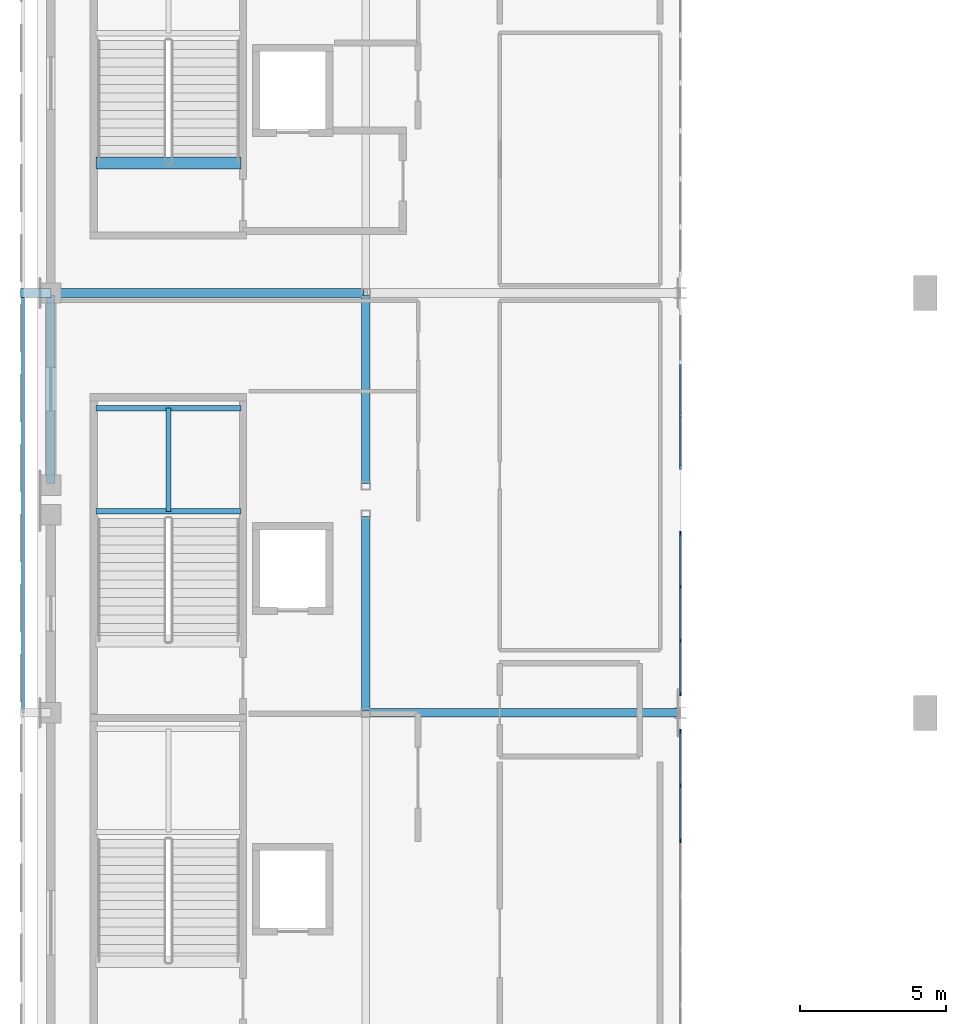
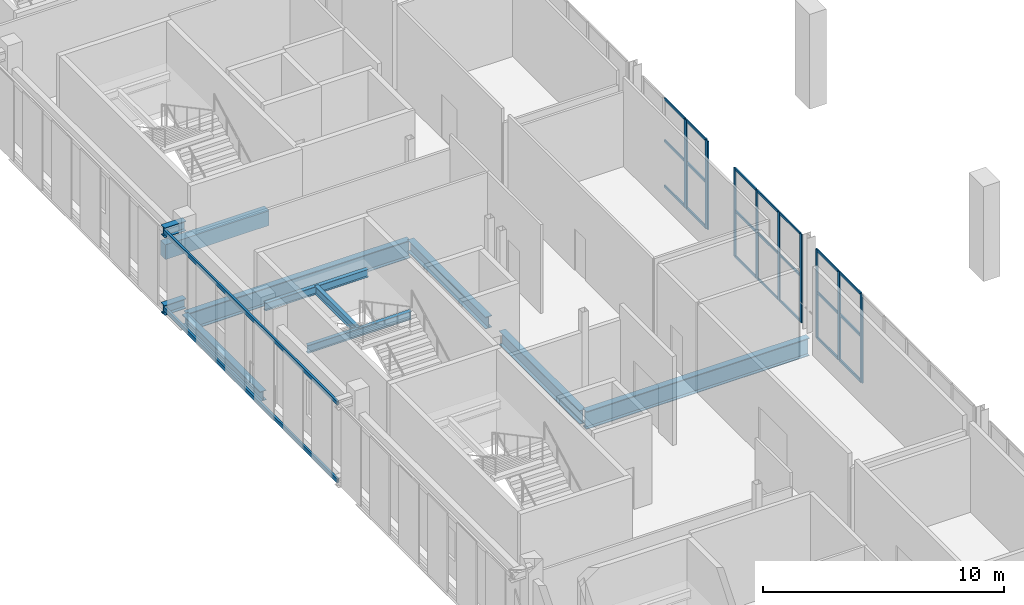
# One storey, part 11 of 51: 32 members, 11 beams, 3 elements without a shape of their own.
"""IFC4 building model written with IfcOpenShell, lengths in metres."""

from ifc_helpers import new_model, si_unit, direction, frame, origin, origin_2d, place, context, subcontext, project, spatial, rectangle, hollow_rectangle, i_section, extrude, material, material_profile, profile_set, type_object, element, aggregate, save


model = new_model("IFC4")

# Units and contexts
model_context = context("Model", 3, precision=1e-05, world=origin(), true_north=direction((0.0, 1.0)))
body_context = subcontext(model_context, "Body", "Model", "MODEL_VIEW")
ifc_project = project(units=[si_unit("LENGTHUNIT", "METRE"), si_unit("AREAUNIT", "SQUARE_METRE"), si_unit("VOLUMEUNIT", "CUBIC_METRE"), si_unit("PLANEANGLEUNIT", "RADIAN"), si_unit("MASSUNIT", "GRAM", prefix="KILO")], contexts=[model_context])

# Site, building, storey
site_placement = place(None, origin())
site = spatial("IfcSite", under=ifc_project, at=site_placement, CompositionType="ELEMENT")
building_placement = place(site_placement, origin())
building = spatial("IfcBuilding", under=site, at=building_placement, Name="Koshinbarg Plaza Stadium", CompositionType="ELEMENT")
storey_placement = place(building_placement, frame((0.0, 0.0, 24.60009765625)))
storey = spatial("IfcBuildingStorey", under=building, at=storey_placement, Name="L05", CompositionType="ELEMENT", Elevation=24.60009765625)

# Beams
ifc_material_1 = material(Name="Steel S355", Category="steel")
ifc_material_profile_1 = material_profile(ifc_material_1, i_section(OverallWidth=0.300048828125, OverallDepth=0.5, WebThickness=0.014404296875, FlangeThickness=0.028076171875, at=origin_2d()), Name="HEB 500")
ifc_profile_set_1 = profile_set([ifc_material_profile_1], Name="Steel S355")
beam_type_1 = type_object("IfcBeamType", Name="BM-CANOPY-CANT", PredefinedType="BEAM", material=ifc_profile_set_1)
for number, where, z_axis, x_axis, name in (
    (1, (24.60009765625, 83.10009765625, 0.25), (-1.0, 0.0, 0.0), (0.0, -1.0, 0.0), "Outer screen cantilever outrigger W-L05-Y05"),
    (2, (24.60009765625, 83.10009765625, 4.179931640625), (-1.0, 0.0, 0.0), (0.0, -1.0, 0.0), "Outer screen cantilever outrigger W-L05-Y05"),
):
    element("IfcBeam", number, at=place(storey_placement, frame(where, z_axis=z_axis, x_axis=x_axis)), inside=storey, type_object=beam_type_1, Name=name, PredefinedType="BEAM", context=body_context, shape_type="SweptSolid", body=[
        extrude(i_section(OverallWidth=0.300048828125, OverallDepth=0.5, WebThickness=0.014404296875, FlangeThickness=0.028076171875, at=origin_2d()), origin(), (0.0, 0.0, 1.0), 1.030029296875),
    ])
ifc_material_2 = material(Name="Concrete C40/50", Category="concrete")
ifc_material_profile_2 = material_profile(ifc_material_2, rectangle(XDim=0.39990234375, YDim=0.75, at=origin_2d()), Name="RC 400x750")
ifc_profile_set_2 = profile_set([ifc_material_profile_2], Name="Concrete C40/50")
beam_type_2 = type_object("IfcBeamType", Name="BM-RCG-03", PredefinedType="USERDEFINED", material=ifc_profile_set_2)
beam_1_placement = place(storey_placement, frame((26.14990234375, 87.56005859375, -0.375), z_axis=(1.0, 0.0, 0.0), x_axis=(0.0, 1.0, 0.0)))
element("IfcBeam", 3, at=beam_1_placement, inside=storey, type_object=beam_type_2, Name="L05 stair landing header beam C05", ObjectType="GIRDER", PredefinedType="USERDEFINED", context=body_context, shape_type="SweptSolid", body=[
    extrude(rectangle(XDim=0.39990234375, YDim=0.75, at=origin_2d()), origin(), (0.0, 0.0, 1.0), 4.97021484375),
])
ifc_material_profile_3 = material_profile(ifc_material_1, i_section(OverallWidth=0.179931640625, OverallDepth=0.39990234375, WebThickness=0.008544921875, FlangeThickness=0.013427734375, at=origin_2d()), Name="IPE 400")
ifc_profile_set_3 = profile_set([ifc_material_profile_3], Name="Steel S355")
beam_type_3 = type_object("IfcBeamType", Name="BM-SBM-01", PredefinedType="BEAM", material=ifc_profile_set_3)
for number, where, z_axis, x_axis, name in (
    (4, (26.14990234375, 75.610107421875, 1.8798828125), (1.0, 0.0, 0.0), (0.0, 1.0, 0.0), "L05 Protected Exit Stair C04 landing trimmer beam 1"),
    (5, (26.14990234375, 79.14990234375, 1.8798828125), (1.0, 0.0, 0.0), (0.0, 1.0, 0.0), "L05 Protected Exit Stair C04 landing trimmer beam 2"),
):
    element("IfcBeam", number, at=place(storey_placement, frame(where, z_axis=z_axis, x_axis=x_axis)), inside=storey, type_object=beam_type_3, Name=name, PredefinedType="BEAM", context=body_context, shape_type="SweptSolid", body=[
        extrude(i_section(OverallWidth=0.179931640625, OverallDepth=0.39990234375, WebThickness=0.008544921875, FlangeThickness=0.013427734375, at=origin_2d()), origin(), (0.0, 0.0, 1.0), 4.97021484375),
    ])
beam_2_placement = place(storey_placement, frame((28.635009765625, 75.610107421875, 1.8798828125), z_axis=(0.0, 1.0, 0.0), x_axis=(-1.0, 0.0, 0.0)))
element("IfcBeam", 6, at=beam_2_placement, inside=storey, type_object=beam_type_3, Name="L05 Protected Exit Stair C04 landing trimmer beam 3", PredefinedType="BEAM", context=body_context, shape_type="SweptSolid", body=[
    extrude(i_section(OverallWidth=0.179931640625, OverallDepth=0.39990234375, WebThickness=0.008544921875, FlangeThickness=0.013427734375, at=origin_2d()), origin(), (0.0, 0.0, 1.0), 3.539794921875),
])
ifc_material_profile_4 = material_profile(ifc_material_1, i_section(OverallWidth=0.300048828125, OverallDepth=0.5, WebThickness=0.014404296875, FlangeThickness=0.028076171875, at=origin_2d()), Name="HEB 500")
ifc_profile_set_4 = profile_set([ifc_material_profile_4], Name="Steel S355")
beam_type_4 = type_object("IfcBeamType", Name="BM-SGIR-01", PredefinedType="USERDEFINED", material=ifc_profile_set_4)
beam_3_placement = place(storey_placement, frame((24.60009765625, 76.56005859375, -0.550048828125), z_axis=(0.0, 1.0, 0.0), x_axis=(-1.0, 0.0, 0.0)))
element("IfcBeam", 7, at=beam_3_placement, inside=storey, type_object=beam_type_4, Name="L05 Y girder 5/L-M", ObjectType="GIRDER", PredefinedType="USERDEFINED", context=body_context, shape_type="SweptSolid", body=[
    extrude(i_section(OverallWidth=0.300048828125, OverallDepth=0.5, WebThickness=0.014404296875, FlangeThickness=0.028076171875, at=origin_2d()), origin(), (0.0, 0.0, 1.0), 6.47998046875),
])
ifc_material_profile_5 = material_profile(ifc_material_1, i_section(OverallWidth=0.300048828125, OverallDepth=0.60009765625, WebThickness=0.015380859375, FlangeThickness=0.030029296875, at=origin_2d()), Name="HEB 600")
ifc_profile_set_5 = profile_set([ifc_material_profile_5], Name="Steel S355")
beam_type_5 = type_object("IfcBeamType", Name="BM-SGIR-02", PredefinedType="USERDEFINED", material=ifc_profile_set_5)
beam_4_placement = place(storey_placement, frame((35.39990234375, 76.56005859375, -0.60009765625), z_axis=(0.0, 1.0, 0.0), x_axis=(-1.0, 0.0, 0.0)))
element("IfcBeam", 8, at=beam_4_placement, inside=storey, type_object=beam_type_5, Name="L05 Y girder 6/L-M", ObjectType="GIRDER", PredefinedType="USERDEFINED", context=body_context, shape_type="SweptSolid", body=[
    extrude(i_section(OverallWidth=0.300048828125, OverallDepth=0.60009765625, WebThickness=0.015380859375, FlangeThickness=0.030029296875, at=origin_2d()), origin(), (0.0, 0.0, 1.0), 6.47998046875),
])
ifc_material_profile_6 = material_profile(ifc_material_1, i_section(OverallWidth=0.300048828125, OverallDepth=0.699951171875, WebThickness=0.01708984375, FlangeThickness=0.031982421875, at=origin_2d()), Name="HEB 700")
ifc_profile_set_6 = profile_set([ifc_material_profile_6], Name="Steel S355")
beam_type_6 = type_object("IfcBeamType", Name="BM-SGIR-03", PredefinedType="USERDEFINED", material=ifc_profile_set_6)
beam_5_placement = place(storey_placement, frame((35.39990234375, 68.760009765625, -0.650146484375), z_axis=(0.0, 1.0, 0.0), x_axis=(-1.0, 0.0, 0.0)))
element("IfcBeam", 9, at=beam_5_placement, inside=storey, type_object=beam_type_6, Name="L05 Y girder 6/J-K", ObjectType="GIRDER", PredefinedType="USERDEFINED", context=body_context, shape_type="SweptSolid", body=[
    extrude(i_section(OverallWidth=0.300048828125, OverallDepth=0.699951171875, WebThickness=0.01708984375, FlangeThickness=0.031982421875, at=origin_2d()), origin(), (0.0, 0.0, 1.0), 6.679931640625),
])
ifc_material_profile_7 = material_profile(ifc_material_1, i_section(OverallWidth=0.300048828125, OverallDepth=0.89990234375, WebThickness=0.0185546875, FlangeThickness=0.034912109375, at=origin_2d()), Name="HEB 900")
ifc_profile_set_7 = profile_set([ifc_material_profile_7], Name="Steel S355")
beam_type_7 = type_object("IfcBeamType", Name="BM-SGIR-05", PredefinedType="USERDEFINED", material=ifc_profile_set_7)
beam_6_placement = place(storey_placement, frame((35.4599609375, 68.699951171875, -0.75), z_axis=(1.0, 0.0, 0.0), x_axis=(0.0, 1.0, 0.0)))
element("IfcBeam", 10, at=beam_6_placement, inside=storey, type_object=beam_type_7, Name="L05 X girder J/6-7", ObjectType="GIRDER", PredefinedType="USERDEFINED", context=body_context, shape_type="SweptSolid", body=[
    extrude(i_section(OverallWidth=0.300048828125, OverallDepth=0.89990234375, WebThickness=0.0185546875, FlangeThickness=0.034912109375, at=origin_2d()), origin(), (0.0, 0.0, 1.0), 10.679931640625),
])
beam_7_placement = place(storey_placement, frame((24.659912109375, 83.10009765625, -0.75), z_axis=(1.0, 0.0, 0.0), x_axis=(0.0, 1.0, 0.0)))
element("IfcBeam", 11, at=beam_7_placement, inside=storey, type_object=beam_type_7, Name="L05 X girder M/5-6", ObjectType="GIRDER", PredefinedType="USERDEFINED", context=body_context, shape_type="SweptSolid", body=[
    extrude(i_section(OverallWidth=0.300048828125, OverallDepth=0.89990234375, WebThickness=0.0185546875, FlangeThickness=0.034912109375, at=origin_2d()), origin(), (0.0, 0.0, 1.0), 10.68017578125),
])

# Curtain wall, members
ifc_material_3 = material(Name="Thermally broken anodised aluminium and low-E double glazing", Category="aluminium")
curtain_wall_type_1 = type_object("IfcCurtainWallType", Name="CW-SYS-09", PredefinedType="NOTDEFINED", material=ifc_material_3)
curtain_wall_1_placement = place(storey_placement, origin())
curtain_wall_1 = element("IfcCurtainWall", 12, at=curtain_wall_1_placement, inside=storey, type_object=curtain_wall_type_1, Name="L05 unitised curtain wall CW-L05-136", PredefinedType="NOTDEFINED")
ifc_material_4 = material(Name="Anodised aluminium mullion", Category="aluminium")
ifc_material_profile_8 = material_profile(ifc_material_4, rectangle(XDim=0.06005859375, YDim=0.139892578125, at=origin_2d()), Name="ALU 60x140")
ifc_profile_set_8 = profile_set([ifc_material_profile_8], Name="Anodised aluminium mullion")
member_type_1 = type_object("IfcMemberType", Name="CW-MUL-01", PredefinedType="MULLION", material=ifc_profile_set_8)
member_1_placement = place(storey_placement, frame((46.199951171875, 74.85009765625, 0.0), z_axis=(0.0, 0.0, 1.0), x_axis=(1.0, 0.0, 0.0)))
member_1 = element("IfcMember", 13, at=member_1_placement, type_object=member_type_1, Name="CW09 mullion 1", PredefinedType="MULLION", context=body_context, shape_type="SweptSolid", body=[
    extrude(rectangle(XDim=0.06005859375, YDim=0.139892578125, at=origin_2d()), origin(), (0.0, 0.0, 1.0), 4.47998046875),
])
member_2_placement = place(storey_placement, frame((46.199951171875, 73.026611328125, 0.0), z_axis=(0.0, 0.0, 1.0), x_axis=(1.0, 0.0, 0.0)))
member_2 = element("IfcMember", 14, at=member_2_placement, type_object=member_type_1, Name="CW09 mullion 2", PredefinedType="MULLION", context=body_context, shape_type="SweptSolid", body=[
    extrude(rectangle(XDim=0.06005859375, YDim=0.139892578125, at=origin_2d()), origin(), (0.0, 0.0, 1.0), 4.47998046875),
])
member_3_placement = place(storey_placement, frame((46.199951171875, 71.17333984375, 0.0), z_axis=(0.0, 0.0, 1.0), x_axis=(1.0, 0.0, 0.0)))
member_3 = element("IfcMember", 15, at=member_3_placement, type_object=member_type_1, Name="CW09 mullion 3", PredefinedType="MULLION", context=body_context, shape_type="SweptSolid", body=[
    extrude(rectangle(XDim=0.06005859375, YDim=0.139892578125, at=origin_2d()), origin(), (0.0, 0.0, 1.0), 4.47998046875),
])
member_4_placement = place(storey_placement, frame((46.199951171875, 69.35009765625, 0.0), z_axis=(0.0, 0.0, 1.0), x_axis=(1.0, 0.0, 0.0)))
member_4 = element("IfcMember", 16, at=member_4_placement, type_object=member_type_1, Name="CW09 mullion 4", PredefinedType="MULLION", context=body_context, shape_type="SweptSolid", body=[
    extrude(rectangle(XDim=0.06005859375, YDim=0.139892578125, at=origin_2d()), origin(), (0.0, 0.0, 1.0), 4.47998046875),
])

curtain_wall_type_2 = type_object("IfcCurtainWallType", Name="CW-SYS-10", PredefinedType="NOTDEFINED", material=ifc_material_3)
curtain_wall_2_placement = place(storey_placement, origin())
curtain_wall_2 = element("IfcCurtainWall", 17, at=curtain_wall_2_placement, inside=storey, type_object=curtain_wall_type_2, Name="L05 unitised curtain wall CW-L05-137", PredefinedType="NOTDEFINED")
ifc_material_profile_9 = material_profile(ifc_material_4, rectangle(XDim=0.06005859375, YDim=0.159912109375, at=origin_2d()), Name="ALU 60x160")
ifc_profile_set_9 = profile_set([ifc_material_profile_9], Name="Anodised aluminium mullion")
member_type_2 = type_object("IfcMemberType", Name="CW-MUL-02", PredefinedType="MULLION", material=ifc_profile_set_9)
member_5_placement = place(storey_placement, frame((46.199951171875, 68.050048828125, 0.0), z_axis=(0.0, 0.0, 1.0), x_axis=(1.0, 0.0, 0.0)))
member_5 = element("IfcMember", 18, at=member_5_placement, type_object=member_type_2, Name="CW10 mullion 1", PredefinedType="MULLION", context=body_context, shape_type="SweptSolid", body=[
    extrude(rectangle(XDim=0.06005859375, YDim=0.159912109375, at=origin_2d()), origin(), (0.0, 0.0, 1.0), 4.47998046875),
])
member_6_placement = place(storey_placement, frame((46.199951171875, 66.199951171875, 0.0), z_axis=(0.0, 0.0, 1.0), x_axis=(1.0, 0.0, 0.0)))
member_6 = element("IfcMember", 19, at=member_6_placement, type_object=member_type_2, Name="CW10 mullion 2", PredefinedType="MULLION", context=body_context, shape_type="SweptSolid", body=[
    extrude(rectangle(XDim=0.06005859375, YDim=0.159912109375, at=origin_2d()), origin(), (0.0, 0.0, 1.0), 4.47998046875),
])
member_7_placement = place(storey_placement, frame((46.199951171875, 64.320068359375, 0.0), z_axis=(0.0, 0.0, 1.0), x_axis=(1.0, 0.0, 0.0)))
member_7 = element("IfcMember", 20, at=member_7_placement, type_object=member_type_2, Name="CW10 mullion 3", PredefinedType="MULLION", context=body_context, shape_type="SweptSolid", body=[
    extrude(rectangle(XDim=0.06005859375, YDim=0.159912109375, at=origin_2d()), origin(), (0.0, 0.0, 1.0), 4.47998046875),
])

curtain_wall_type_3 = type_object("IfcCurtainWallType", Name="CW-SYS-08", PredefinedType="NOTDEFINED", material=ifc_material_3)
curtain_wall_3_placement = place(storey_placement, origin())
curtain_wall_3 = element("IfcCurtainWall", 21, at=curtain_wall_3_placement, inside=storey, type_object=curtain_wall_type_3, Name="L05 unitised curtain wall CW-L05-135", PredefinedType="NOTDEFINED")
ifc_material_profile_10 = material_profile(ifc_material_4, rectangle(XDim=0.070068359375, YDim=0.199951171875, at=origin_2d()), Name="ALU 70x200")
ifc_profile_set_10 = profile_set([ifc_material_profile_10], Name="Anodised aluminium mullion")
member_type_3 = type_object("IfcMemberType", Name="CW-MUL-04", PredefinedType="MULLION", material=ifc_profile_set_10)
member_8_placement = place(storey_placement, frame((46.199951171875, 78.90673828125, 0.0), z_axis=(0.0, 0.0, 1.0), x_axis=(1.0, 0.0, 0.0)))
member_8 = element("IfcMember", 22, at=member_8_placement, type_object=member_type_3, Name="CW08 mullion 3", PredefinedType="MULLION", context=body_context, shape_type="SweptSolid", body=[
    extrude(rectangle(XDim=0.070068359375, YDim=0.199951171875, at=origin_2d()), origin(), (0.0, 0.0, 1.0), 4.47998046875),
])
member_9_placement = place(storey_placement, frame((46.199951171875, 77.14990234375, 0.0), z_axis=(0.0, 0.0, 1.0), x_axis=(1.0, 0.0, 0.0)))
member_9 = element("IfcMember", 23, at=member_9_placement, type_object=member_type_3, Name="CW08 mullion 4", PredefinedType="MULLION", context=body_context, shape_type="SweptSolid", body=[
    extrude(rectangle(XDim=0.070068359375, YDim=0.199951171875, at=origin_2d()), origin(), (0.0, 0.0, 1.0), 4.47998046875),
])

# Member
ifc_material_5 = material(Name="Anodised aluminium transom", Category="aluminium")
ifc_material_profile_11 = material_profile(ifc_material_5, rectangle(XDim=0.06005859375, YDim=0.110107421875, at=origin_2d()), Name="ALU 60x110")
ifc_profile_set_11 = profile_set([ifc_material_profile_11], Name="Anodised aluminium transom")
member_type_4 = type_object("IfcMemberType", Name="CW-TRN-01", PredefinedType="USERDEFINED", material=ifc_profile_set_11)
member_10_placement = place(storey_placement, frame((46.199951171875, 74.820068359375, 0.02978515625), z_axis=(0.0, -1.0, 0.0), x_axis=(1.0, 0.0, 0.0)))
member_10 = element("IfcMember", 24, at=member_10_placement, type_object=member_type_4, Name="CW09 transom 1.1", ObjectType="TRANSOM", PredefinedType="USERDEFINED", context=body_context, shape_type="SweptSolid", body=[
    extrude(rectangle(XDim=0.06005859375, YDim=0.110107421875, at=origin_2d()), origin(), (0.0, 0.0, 1.0), 1.763427734375),
])

member_11_placement = place(storey_placement, frame((46.199951171875, 74.820068359375, 2.32958984375), z_axis=(0.0, -1.0, 0.0), x_axis=(1.0, 0.0, 0.0)))
member_11 = element("IfcMember", 25, at=member_11_placement, type_object=member_type_4, Name="CW09 transom 1.2", ObjectType="TRANSOM", PredefinedType="USERDEFINED", context=body_context, shape_type="SweptSolid", body=[
    extrude(rectangle(XDim=0.06005859375, YDim=0.110107421875, at=origin_2d()), origin(), (0.0, 0.0, 1.0), 1.763427734375),
])

member_12_placement = place(storey_placement, frame((46.199951171875, 74.820068359375, 4.449951171875), z_axis=(0.0, -1.0, 0.0), x_axis=(1.0, 0.0, 0.0)))
member_12 = element("IfcMember", 26, at=member_12_placement, type_object=member_type_4, Name="CW09 transom 1.3", ObjectType="TRANSOM", PredefinedType="USERDEFINED", context=body_context, shape_type="SweptSolid", body=[
    extrude(rectangle(XDim=0.06005859375, YDim=0.110107421875, at=origin_2d()), origin(), (0.0, 0.0, 1.0), 1.763427734375),
])

member_13_placement = place(storey_placement, frame((46.199951171875, 72.99658203125, 0.02978515625), z_axis=(0.0, -1.0, 0.0), x_axis=(1.0, 0.0, 0.0)))
member_13 = element("IfcMember", 27, at=member_13_placement, type_object=member_type_4, Name="CW09 transom 2.1", ObjectType="TRANSOM", PredefinedType="USERDEFINED", context=body_context, shape_type="SweptSolid", body=[
    extrude(rectangle(XDim=0.06005859375, YDim=0.110107421875, at=origin_2d()), origin(), (0.0, 0.0, 1.0), 1.793212890625),
])

member_14_placement = place(storey_placement, frame((46.199951171875, 72.99658203125, 2.32958984375), z_axis=(0.0, -1.0, 0.0), x_axis=(1.0, 0.0, 0.0)))
member_14 = element("IfcMember", 28, at=member_14_placement, type_object=member_type_4, Name="CW09 transom 2.2", ObjectType="TRANSOM", PredefinedType="USERDEFINED", context=body_context, shape_type="SweptSolid", body=[
    extrude(rectangle(XDim=0.06005859375, YDim=0.110107421875, at=origin_2d()), origin(), (0.0, 0.0, 1.0), 1.793212890625),
])

member_15_placement = place(storey_placement, frame((46.199951171875, 72.99658203125, 4.449951171875), z_axis=(0.0, -1.0, 0.0), x_axis=(1.0, 0.0, 0.0)))
member_15 = element("IfcMember", 29, at=member_15_placement, type_object=member_type_4, Name="CW09 transom 2.3", ObjectType="TRANSOM", PredefinedType="USERDEFINED", context=body_context, shape_type="SweptSolid", body=[
    extrude(rectangle(XDim=0.06005859375, YDim=0.110107421875, at=origin_2d()), origin(), (0.0, 0.0, 1.0), 1.793212890625),
])

member_16_placement = place(storey_placement, frame((46.199951171875, 71.143310546875, 0.02978515625), z_axis=(0.0, -1.0, 0.0), x_axis=(1.0, 0.0, 0.0)))
member_16 = element("IfcMember", 30, at=member_16_placement, type_object=member_type_4, Name="CW09 transom 3.1", ObjectType="TRANSOM", PredefinedType="USERDEFINED", context=body_context, shape_type="SweptSolid", body=[
    extrude(rectangle(XDim=0.06005859375, YDim=0.110107421875, at=origin_2d()), origin(), (0.0, 0.0, 1.0), 1.763427734375),
])

member_17_placement = place(storey_placement, frame((46.199951171875, 71.143310546875, 2.32958984375), z_axis=(0.0, -1.0, 0.0), x_axis=(1.0, 0.0, 0.0)))
member_17 = element("IfcMember", 31, at=member_17_placement, type_object=member_type_4, Name="CW09 transom 3.2", ObjectType="TRANSOM", PredefinedType="USERDEFINED", context=body_context, shape_type="SweptSolid", body=[
    extrude(rectangle(XDim=0.06005859375, YDim=0.110107421875, at=origin_2d()), origin(), (0.0, 0.0, 1.0), 1.763427734375),
])

member_18_placement = place(storey_placement, frame((46.199951171875, 71.143310546875, 4.449951171875), z_axis=(0.0, -1.0, 0.0), x_axis=(1.0, 0.0, 0.0)))
member_18 = element("IfcMember", 32, at=member_18_placement, type_object=member_type_4, Name="CW09 transom 3.3", ObjectType="TRANSOM", PredefinedType="USERDEFINED", context=body_context, shape_type="SweptSolid", body=[
    extrude(rectangle(XDim=0.06005859375, YDim=0.110107421875, at=origin_2d()), origin(), (0.0, 0.0, 1.0), 1.763427734375),
])

aggregate(curtain_wall_1, [member_1, member_2, member_3, member_4, member_10, member_11, member_12, member_13, member_14, member_15, member_16, member_17, member_18])

ifc_material_profile_12 = material_profile(ifc_material_5, rectangle(XDim=0.06005859375, YDim=0.1298828125, at=origin_2d()), Name="ALU 60x130")
ifc_profile_set_12 = profile_set([ifc_material_profile_12], Name="Anodised aluminium transom")
member_type_5 = type_object("IfcMemberType", Name="CW-TRN-02", PredefinedType="USERDEFINED", material=ifc_profile_set_12)
member_19_placement = place(storey_placement, frame((46.199951171875, 80.663330078125, 0.02978515625), z_axis=(0.0, -1.0, 0.0), x_axis=(1.0, 0.0, 0.0)))
member_19 = element("IfcMember", 33, at=member_19_placement, type_object=member_type_5, Name="CW08 transom 2.1", ObjectType="TRANSOM", PredefinedType="USERDEFINED", context=body_context, shape_type="SweptSolid", body=[
    extrude(rectangle(XDim=0.06005859375, YDim=0.1298828125, at=origin_2d()), origin(), (0.0, 0.0, 1.0), 1.7265625),
])

member_20_placement = place(storey_placement, frame((46.199951171875, 80.663330078125, 2.32958984375), z_axis=(0.0, -1.0, 0.0), x_axis=(1.0, 0.0, 0.0)))
member_20 = element("IfcMember", 34, at=member_20_placement, type_object=member_type_5, Name="CW08 transom 2.2", ObjectType="TRANSOM", PredefinedType="USERDEFINED", context=body_context, shape_type="SweptSolid", body=[
    extrude(rectangle(XDim=0.06005859375, YDim=0.1298828125, at=origin_2d()), origin(), (0.0, 0.0, 1.0), 1.7265625),
])

member_21_placement = place(storey_placement, frame((46.199951171875, 80.663330078125, 4.449951171875), z_axis=(0.0, -1.0, 0.0), x_axis=(1.0, 0.0, 0.0)))
member_21 = element("IfcMember", 35, at=member_21_placement, type_object=member_type_5, Name="CW08 transom 2.3", ObjectType="TRANSOM", PredefinedType="USERDEFINED", context=body_context, shape_type="SweptSolid", body=[
    extrude(rectangle(XDim=0.06005859375, YDim=0.1298828125, at=origin_2d()), origin(), (0.0, 0.0, 1.0), 1.7265625),
])

member_22_placement = place(storey_placement, frame((46.199951171875, 78.876708984375, 0.02978515625), z_axis=(0.0, -1.0, 0.0), x_axis=(1.0, 0.0, 0.0)))
member_22 = element("IfcMember", 36, at=member_22_placement, type_object=member_type_5, Name="CW08 transom 3.1", ObjectType="TRANSOM", PredefinedType="USERDEFINED", context=body_context, shape_type="SweptSolid", body=[
    extrude(rectangle(XDim=0.06005859375, YDim=0.1298828125, at=origin_2d()), origin(), (0.0, 0.0, 1.0), 1.69677734375),
])

member_23_placement = place(storey_placement, frame((46.199951171875, 78.876708984375, 2.32958984375), z_axis=(0.0, -1.0, 0.0), x_axis=(1.0, 0.0, 0.0)))
member_23 = element("IfcMember", 37, at=member_23_placement, type_object=member_type_5, Name="CW08 transom 3.2", ObjectType="TRANSOM", PredefinedType="USERDEFINED", context=body_context, shape_type="SweptSolid", body=[
    extrude(rectangle(XDim=0.06005859375, YDim=0.1298828125, at=origin_2d()), origin(), (0.0, 0.0, 1.0), 1.69677734375),
])

member_24_placement = place(storey_placement, frame((46.199951171875, 78.876708984375, 4.449951171875), z_axis=(0.0, -1.0, 0.0), x_axis=(1.0, 0.0, 0.0)))
member_24 = element("IfcMember", 38, at=member_24_placement, type_object=member_type_5, Name="CW08 transom 3.3", ObjectType="TRANSOM", PredefinedType="USERDEFINED", context=body_context, shape_type="SweptSolid", body=[
    extrude(rectangle(XDim=0.06005859375, YDim=0.1298828125, at=origin_2d()), origin(), (0.0, 0.0, 1.0), 1.69677734375),
])

aggregate(curtain_wall_3, [member_8, member_9, member_19, member_20, member_21, member_22, member_23, member_24])

member_25_placement = place(storey_placement, frame((46.199951171875, 68.02001953125, 0.02978515625), z_axis=(0.0, -1.0, 0.0), x_axis=(1.0, 0.0, 0.0)))
member_25 = element("IfcMember", 39, at=member_25_placement, type_object=member_type_5, Name="CW10 transom 1.1", ObjectType="TRANSOM", PredefinedType="USERDEFINED", context=body_context, shape_type="SweptSolid", body=[
    extrude(rectangle(XDim=0.06005859375, YDim=0.1298828125, at=origin_2d()), origin(), (0.0, 0.0, 1.0), 1.7900390625),
])

member_26_placement = place(storey_placement, frame((46.199951171875, 68.02001953125, 2.32958984375), z_axis=(0.0, -1.0, 0.0), x_axis=(1.0, 0.0, 0.0)))
member_26 = element("IfcMember", 40, at=member_26_placement, type_object=member_type_5, Name="CW10 transom 1.2", ObjectType="TRANSOM", PredefinedType="USERDEFINED", context=body_context, shape_type="SweptSolid", body=[
    extrude(rectangle(XDim=0.06005859375, YDim=0.1298828125, at=origin_2d()), origin(), (0.0, 0.0, 1.0), 1.7900390625),
])

member_27_placement = place(storey_placement, frame((46.199951171875, 68.02001953125, 4.449951171875), z_axis=(0.0, -1.0, 0.0), x_axis=(1.0, 0.0, 0.0)))
member_27 = element("IfcMember", 41, at=member_27_placement, type_object=member_type_5, Name="CW10 transom 1.3", ObjectType="TRANSOM", PredefinedType="USERDEFINED", context=body_context, shape_type="SweptSolid", body=[
    extrude(rectangle(XDim=0.06005859375, YDim=0.1298828125, at=origin_2d()), origin(), (0.0, 0.0, 1.0), 1.7900390625),
])

member_28_placement = place(storey_placement, frame((46.199951171875, 66.169921875, 0.02978515625), z_axis=(0.0, -1.0, 0.0), x_axis=(1.0, 0.0, 0.0)))
member_28 = element("IfcMember", 42, at=member_28_placement, type_object=member_type_5, Name="CW10 transom 2.1", ObjectType="TRANSOM", PredefinedType="USERDEFINED", context=body_context, shape_type="SweptSolid", body=[
    extrude(rectangle(XDim=0.06005859375, YDim=0.1298828125, at=origin_2d()), origin(), (0.0, 0.0, 1.0), 1.81982421875),
])

member_29_placement = place(storey_placement, frame((46.199951171875, 66.169921875, 2.32958984375), z_axis=(0.0, -1.0, 0.0), x_axis=(1.0, 0.0, 0.0)))
member_29 = element("IfcMember", 43, at=member_29_placement, type_object=member_type_5, Name="CW10 transom 2.2", ObjectType="TRANSOM", PredefinedType="USERDEFINED", context=body_context, shape_type="SweptSolid", body=[
    extrude(rectangle(XDim=0.06005859375, YDim=0.1298828125, at=origin_2d()), origin(), (0.0, 0.0, 1.0), 1.81982421875),
])

member_30_placement = place(storey_placement, frame((46.199951171875, 66.169921875, 4.449951171875), z_axis=(0.0, -1.0, 0.0), x_axis=(1.0, 0.0, 0.0)))
member_30 = element("IfcMember", 44, at=member_30_placement, type_object=member_type_5, Name="CW10 transom 2.3", ObjectType="TRANSOM", PredefinedType="USERDEFINED", context=body_context, shape_type="SweptSolid", body=[
    extrude(rectangle(XDim=0.06005859375, YDim=0.1298828125, at=origin_2d()), origin(), (0.0, 0.0, 1.0), 1.81982421875),
])

aggregate(curtain_wall_2, [member_5, member_6, member_7, member_25, member_26, member_27, member_28, member_29, member_30])

# Members
ifc_material_profile_13 = material_profile(ifc_material_1, hollow_rectangle(XDim=0.10009765625, YDim=0.199951171875, WallThickness=0.008056640625, at=origin_2d()), Name="RHS 200x100x8")
ifc_profile_set_13 = profile_set([ifc_material_profile_13], Name="Steel S355")
member_type_6 = type_object("IfcMemberType", Name="MB-PURL-03", PredefinedType="PURLIN", material=ifc_profile_set_13)
for number, where, z_axis, x_axis, name in (
    (45, (23.64990234375, 68.699951171875, 0.25), (0.0, 1.0, 0.0), (-1.0, 0.0, 0.0), "L05 outer screen subframe rail W-4-BOT"),
    (46, (23.64990234375, 68.699951171875, 4.179931640625), (0.0, 1.0, 0.0), (-1.0, 0.0, 0.0), "L05 outer screen subframe rail W-4-TOP"),
):
    element("IfcMember", number, at=place(storey_placement, frame(where, z_axis=z_axis, x_axis=x_axis)), inside=storey, type_object=member_type_6, Name=name, PredefinedType="PURLIN", context=body_context, shape_type="SweptSolid", body=[
        extrude(hollow_rectangle(XDim=0.10009765625, YDim=0.199951171875, WallThickness=0.008056640625, at=origin_2d()), origin(), (0.0, 0.0, 1.0), 14.400146484375),
    ])

save(model, "model.ifc")
